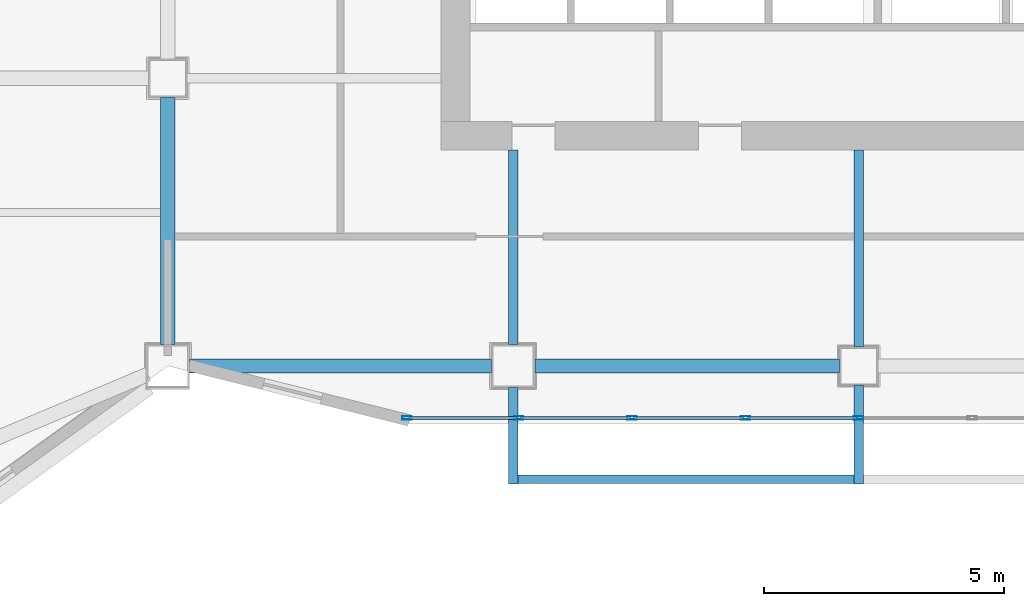
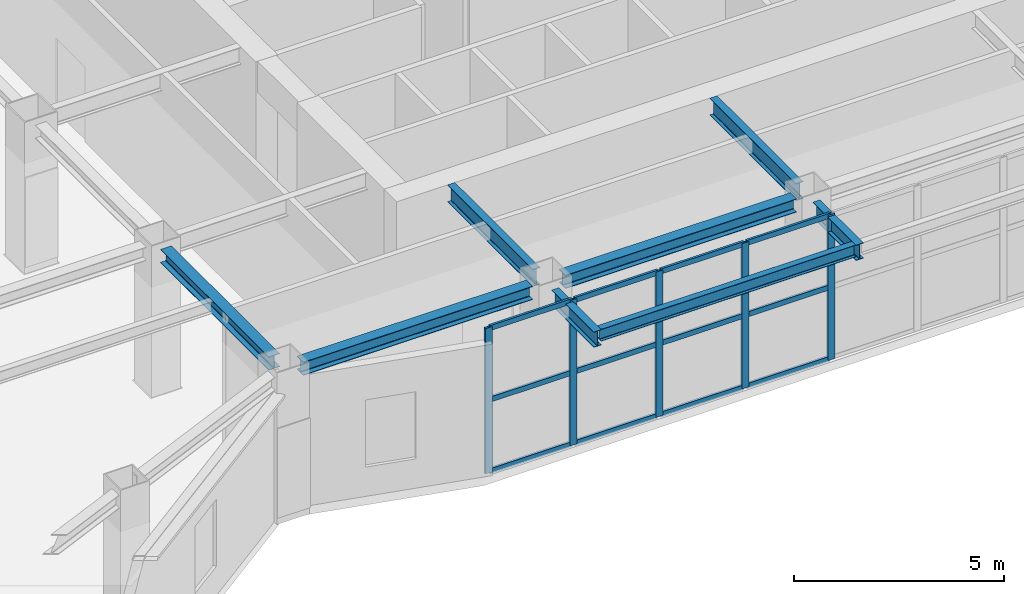
# One storey, part 2 of 16: 17 members, 8 beams, 1 element without a shape of its own.
"""IFC4 building model written with IfcOpenShell, lengths in metres."""

from ifc_helpers import new_model, si_unit, direction, frame, origin, origin_2d, place, context, subcontext, project, spatial, hollow_rectangle, i_section, extrude, material, layer, layer_set, material_profile, profile_set, type_object, element, aggregate, save


model = new_model("IFC4")

# Units and contexts
model_context = context("Model", 3, precision=1e-05, world=origin(), true_north=direction((0.0, 1.0)))
body_context = subcontext(model_context, "Body", "Model", "MODEL_VIEW")
ifc_project = project(units=[si_unit("LENGTHUNIT", "METRE"), si_unit("AREAUNIT", "SQUARE_METRE"), si_unit("VOLUMEUNIT", "CUBIC_METRE"), si_unit("PLANEANGLEUNIT", "RADIAN"), si_unit("MASSUNIT", "GRAM", prefix="KILO")], contexts=[model_context])

# Site, building, storey
site_placement = place(None, origin())
site = spatial("IfcSite", under=ifc_project, at=site_placement, CompositionType="ELEMENT")
building_placement = place(site_placement, origin())
building = spatial("IfcBuilding", under=site, at=building_placement, Name="Haolan Belvedere Tower", CompositionType="ELEMENT")
storey_placement = place(building_placement, frame((0.0, 0.0, 164.60009765625)))
storey = spatial("IfcBuildingStorey", under=building, at=storey_placement, Name="L41", CompositionType="ELEMENT", Elevation=164.60009765625)

# Beams
ifc_material_1 = material(Name="Steel Q355B", Category="steel")
ifc_material_profile_1 = material_profile(ifc_material_1, i_section(OverallWidth=0.300048828125, OverallDepth=0.389892578125, WebThickness=0.010009765625, FlangeThickness=0.01611328125, FilletRadius=0.02197265625, at=origin_2d()), Name="Steel Q355B")
ifc_profile_set_1 = profile_set([ifc_material_profile_1], Name="Steel Q355B")
beam_type_1 = type_object("IfcBeamType", Name="BM-HM390x300x10x16", PredefinedType="SPANDREL", material=ifc_profile_set_1)
beam_1_placement = place(storey_placement, frame((24.0, 22.050048828125, 4.02490234375), z_axis=(0.0, 1.0, 0.0), x_axis=(-1.0, 0.0, 0.0)))
element("IfcBeam", 1, at=beam_1_placement, inside=storey, type_object=beam_type_1, Name="L41 spandrel girder MC-T3-SW-TC-T3-W1", PredefinedType="SPANDREL", context=body_context, shape_type="SweptSolid", body=[
    extrude(i_section(OverallWidth=0.300048828125, OverallDepth=0.389892578125, WebThickness=0.010009765625, FlangeThickness=0.01611328125, FilletRadius=0.02197265625, at=origin_2d()), origin(), (0.0, 0.0, 1.0), 5.14990234375),
])
beam_2_placement = place(storey_placement, frame((24.449951171875, 21.60009765625, 4.02490234375), z_axis=(1.0, 0.0, 0.0), x_axis=(0.0, 1.0, 0.0)))
element("IfcBeam", 2, at=beam_2_placement, inside=storey, type_object=beam_type_1, Name="L41 spandrel girder MC-T3-SW-MC-T3-S1", PredefinedType="SPANDREL", context=body_context, shape_type="SweptSolid", body=[
    extrude(i_section(OverallWidth=0.300048828125, OverallDepth=0.389892578125, WebThickness=0.010009765625, FlangeThickness=0.01611328125, FilletRadius=0.02197265625, at=origin_2d()), origin(), (0.0, 0.0, 1.0), 6.300048828125),
])
beam_3_placement = place(storey_placement, frame((31.64990234375, 21.60009765625, 4.02490234375), z_axis=(1.0, 0.0, 0.0), x_axis=(0.0, 1.0, 0.0)))
element("IfcBeam", 3, at=beam_3_placement, inside=storey, type_object=beam_type_1, Name="L41 spandrel girder MC-T3-S1-TC-T3-SM", PredefinedType="SPANDREL", context=body_context, shape_type="SweptSolid", body=[
    extrude(i_section(OverallWidth=0.300048828125, OverallDepth=0.389892578125, WebThickness=0.010009765625, FlangeThickness=0.01611328125, FilletRadius=0.02197265625, at=origin_2d()), origin(), (0.0, 0.0, 1.0), 6.35009765625),
])
ifc_material_profile_2 = material_profile(ifc_material_1, i_section(OverallWidth=0.175048828125, OverallDepth=0.35009765625, WebThickness=0.007080078125, FlangeThickness=0.010986328125, FilletRadius=0.012939453125, at=origin_2d()), Name="Steel Q355B")
ifc_profile_set_2 = profile_set([ifc_material_profile_2], Name="Steel Q355B")
beam_type_2 = type_object("IfcBeamType", Name="BM-HN350x175x7x11", PredefinedType="JOIST", material=ifc_profile_set_2)
beam_4_placement = place(storey_placement, frame((31.300048828125, 19.239990234375, 3.994873046875), z_axis=(1.0, 0.0, 0.0), x_axis=(0.0, 1.0, 0.0)))
element("IfcBeam", 4, at=beam_4_placement, inside=storey, type_object=beam_type_2, Name="L42 tree-balcony front trimmer beam 1", PredefinedType="BEAM", context=body_context, shape_type="SweptSolid", body=[
    extrude(i_section(OverallWidth=0.175048828125, OverallDepth=0.35009765625, WebThickness=0.007080078125, FlangeThickness=0.010986328125, FilletRadius=0.012939453125, at=origin_2d()), origin(), (0.0, 0.0, 1.0), 7.0),
])
ifc_material_profile_3 = material_profile(ifc_material_1, i_section(OverallWidth=0.199951171875, OverallDepth=0.449951171875, WebThickness=0.009033203125, FlangeThickness=0.013916015625, FilletRadius=0.01611328125, at=origin_2d()), Name="Steel Q355B")
ifc_profile_set_3 = profile_set([ifc_material_profile_3], Name="Steel Q355B")
beam_type_3 = type_object("IfcBeamType", Name="BM-HN450x200x9x14", PredefinedType="BEAM", material=ifc_profile_set_3)
beam_5_placement = place(storey_placement, frame((31.199951171875, 21.14990234375, 3.94482421875), z_axis=(0.0, -1.0, 0.0), x_axis=(1.0, 0.0, 0.0)))
element("IfcBeam", 5, at=beam_5_placement, inside=storey, type_object=beam_type_3, Name="L42 tree-balcony column cantilever MC-T3-S1", PredefinedType="BEAM", context=body_context, shape_type="SweptSolid", body=[
    extrude(i_section(OverallWidth=0.199951171875, OverallDepth=0.449951171875, WebThickness=0.009033203125, FlangeThickness=0.013916015625, FilletRadius=0.01611328125, at=origin_2d()), origin(), (0.0, 0.0, 1.0), 2.010009765625),
])
beam_6_placement = place(storey_placement, frame((38.39990234375, 21.199951171875, 3.94482421875), z_axis=(0.0, -1.0, 0.0), x_axis=(1.0, 0.0, 0.0)))
element("IfcBeam", 6, at=beam_6_placement, inside=storey, type_object=beam_type_3, Name="L42 tree-balcony column cantilever TC-T3-SM", PredefinedType="BEAM", context=body_context, shape_type="SweptSolid", body=[
    extrude(i_section(OverallWidth=0.199951171875, OverallDepth=0.449951171875, WebThickness=0.009033203125, FlangeThickness=0.013916015625, FilletRadius=0.01611328125, at=origin_2d()), origin(), (0.0, 0.0, 1.0), 2.06005859375),
])
ifc_material_profile_4 = material_profile(ifc_material_1, i_section(OverallWidth=0.199951171875, OverallDepth=0.5, WebThickness=0.010009765625, FlangeThickness=0.01611328125, FilletRadius=0.02001953125, at=origin_2d()), Name="Steel Q355B")
ifc_profile_set_4 = profile_set([ifc_material_profile_4], Name="Steel Q355B")
beam_type_4 = type_object("IfcBeamType", Name="BM-HN500x200x10x16", PredefinedType="BEAM", material=ifc_profile_set_4)
beam_7_placement = place(storey_placement, frame((31.199951171875, 22.050048828125, 3.969970703125), z_axis=(0.0, 1.0, 0.0), x_axis=(-1.0, 0.0, 0.0)))
element("IfcBeam", 7, at=beam_7_placement, inside=storey, type_object=beam_type_4, Name="L41 core tie beam from MC-T3-S1", PredefinedType="BEAM", context=body_context, shape_type="SweptSolid", body=[
    extrude(i_section(OverallWidth=0.199951171875, OverallDepth=0.5, WebThickness=0.010009765625, FlangeThickness=0.01611328125, FilletRadius=0.02001953125, at=origin_2d()), origin(), (0.0, 0.0, 1.0), 4.050048828125),
])
beam_8_placement = place(storey_placement, frame((38.39990234375, 22.0, 3.969970703125), z_axis=(0.0, 1.0, 0.0), x_axis=(-1.0, 0.0, 0.0)))
element("IfcBeam", 8, at=beam_8_placement, inside=storey, type_object=beam_type_4, Name="L41 core tie beam from TC-T3-SM", PredefinedType="BEAM", context=body_context, shape_type="SweptSolid", body=[
    extrude(i_section(OverallWidth=0.199951171875, OverallDepth=0.5, WebThickness=0.010009765625, FlangeThickness=0.01611328125, FilletRadius=0.02001953125, at=origin_2d()), origin(), (0.0, 0.0, 1.0), 4.10009765625),
])

# Curtain wall, members
ifc_material_2 = material(Name="Anodised champagne-silver aluminium 6063-T6 and Low-E glass", Category="aluminium")
ifc_layer = layer(ifc_material_2, 0.195068359375, Name="Anodised champagne-silver aluminium 6063-T6 and Low-E glass")
ifc_layer_set = layer_set([ifc_layer], Name="Anodised champagne-silver aluminium 6063-T6 and Low-E glass")
curtain_wall_type = type_object("IfcCurtainWallType", Name="CW-SYS-06", PredefinedType="NOTDEFINED", material=ifc_layer_set)
curtain_wall_placement = place(storey_placement, origin())
curtain_wall = element("IfcCurtainWall", 9, at=curtain_wall_placement, inside=storey, type_object=curtain_wall_type, Name="L41 CW-SYS-06 ribbon curtain wall 1.1", PredefinedType="NOTDEFINED")
ifc_material_3 = material(Name="Anodised aluminium 6063-T6", Category="aluminium")
ifc_material_profile_5 = material_profile(ifc_material_3, hollow_rectangle(XDim=0.070068359375, YDim=0.195068359375, WallThickness=0.00390625, at=origin_2d()), Name="Anodised aluminium 6063-T6")
ifc_profile_set_5 = profile_set([ifc_material_profile_5], Name="Anodised aluminium 6063-T6")
member_type_1 = type_object("IfcMemberType", Name="CW-SYS-06-MUL", PredefinedType="MULLION", material=ifc_profile_set_5)
member_1_placement = place(storey_placement, frame((28.98974609375, 20.52001953125, 0.0), z_axis=(0.0, 0.0, 1.0), x_axis=(0.0, 1.0, 0.0)))
member_1 = element("IfcMember", 10, at=member_1_placement, type_object=member_type_1, Name="CW-06 mullion 1", PredefinedType="MULLION", context=body_context, shape_type="SweptSolid", body=[
    extrude(hollow_rectangle(XDim=0.070068359375, YDim=0.195068359375, WallThickness=0.00390625, at=origin_2d()), origin(), (0.0, 0.0, 1.0), 4.219970703125),
])
member_2_placement = place(storey_placement, frame((31.316162109375, 20.52001953125, 0.0), z_axis=(0.0, 0.0, 1.0), x_axis=(0.0, 1.0, 0.0)))
member_2 = element("IfcMember", 11, at=member_2_placement, type_object=member_type_1, Name="CW-06 mullion 2", PredefinedType="MULLION", context=body_context, shape_type="SweptSolid", body=[
    extrude(hollow_rectangle(XDim=0.070068359375, YDim=0.195068359375, WallThickness=0.00390625, at=origin_2d()), origin(), (0.0, 0.0, 1.0), 4.219970703125),
])
member_3_placement = place(storey_placement, frame((33.677490234375, 20.52001953125, 0.0), z_axis=(0.0, 0.0, 1.0), x_axis=(0.0, 1.0, 0.0)))
member_3 = element("IfcMember", 12, at=member_3_placement, type_object=member_type_1, Name="CW-06 mullion 3", PredefinedType="MULLION", context=body_context, shape_type="SweptSolid", body=[
    extrude(hollow_rectangle(XDim=0.070068359375, YDim=0.195068359375, WallThickness=0.00390625, at=origin_2d()), origin(), (0.0, 0.0, 1.0), 4.219970703125),
])
member_4_placement = place(storey_placement, frame((36.038818359375, 20.52001953125, 0.0), z_axis=(0.0, 0.0, 1.0), x_axis=(0.0, 1.0, 0.0)))
member_4 = element("IfcMember", 13, at=member_4_placement, type_object=member_type_1, Name="CW-06 mullion 4", PredefinedType="MULLION", context=body_context, shape_type="SweptSolid", body=[
    extrude(hollow_rectangle(XDim=0.070068359375, YDim=0.195068359375, WallThickness=0.00390625, at=origin_2d()), origin(), (0.0, 0.0, 1.0), 4.219970703125),
])
member_5_placement = place(storey_placement, frame((38.39990234375, 20.52001953125, 0.0), z_axis=(0.0, 0.0, 1.0), x_axis=(0.0, 1.0, 0.0)))
member_5 = element("IfcMember", 14, at=member_5_placement, type_object=member_type_1, Name="CW-06 mullion 5", PredefinedType="MULLION", context=body_context, shape_type="SweptSolid", body=[
    extrude(hollow_rectangle(XDim=0.070068359375, YDim=0.195068359375, WallThickness=0.00390625, at=origin_2d()), origin(), (0.0, 0.0, 1.0), 4.219970703125),
])
ifc_material_profile_6 = material_profile(ifc_material_3, hollow_rectangle(XDim=0.06494140625, YDim=0.14990234375, WallThickness=0.00390625, at=origin_2d()), Name="Anodised aluminium 6063-T6")
ifc_profile_set_6 = profile_set([ifc_material_profile_6], Name="Anodised aluminium 6063-T6")
member_type_2 = type_object("IfcMemberType", Name="CW-SYS-06-TRN", PredefinedType="USERDEFINED", material=ifc_profile_set_6)
member_6_placement = place(storey_placement, frame((29.02490234375, 20.52001953125, 0.032470703125), z_axis=(1.0, 0.0, 0.0), x_axis=(0.0, 1.0, 0.0)))
member_6 = element("IfcMember", 15, at=member_6_placement, type_object=member_type_2, Name="CW-06 transom 1.1", ObjectType="TRANSOM", PredefinedType="USERDEFINED", context=body_context, shape_type="SweptSolid", body=[
    extrude(hollow_rectangle(XDim=0.06494140625, YDim=0.14990234375, WallThickness=0.00390625, at=origin_2d()), origin(), (0.0, 0.0, 1.0), 2.256103515625),
])
member_7_placement = place(storey_placement, frame((29.02490234375, 20.52001953125, 2.10986328125), z_axis=(1.0, 0.0, 0.0), x_axis=(0.0, 1.0, 0.0)))
member_7 = element("IfcMember", 16, at=member_7_placement, type_object=member_type_2, Name="CW-06 transom 1.2", ObjectType="TRANSOM", PredefinedType="USERDEFINED", context=body_context, shape_type="SweptSolid", body=[
    extrude(hollow_rectangle(XDim=0.06494140625, YDim=0.14990234375, WallThickness=0.00390625, at=origin_2d()), origin(), (0.0, 0.0, 1.0), 2.256103515625),
])
member_8_placement = place(storey_placement, frame((29.02490234375, 20.52001953125, 4.1875), z_axis=(1.0, 0.0, 0.0), x_axis=(0.0, 1.0, 0.0)))
member_8 = element("IfcMember", 17, at=member_8_placement, type_object=member_type_2, Name="CW-06 transom 1.3", ObjectType="TRANSOM", PredefinedType="USERDEFINED", context=body_context, shape_type="SweptSolid", body=[
    extrude(hollow_rectangle(XDim=0.06494140625, YDim=0.14990234375, WallThickness=0.00390625, at=origin_2d()), origin(), (0.0, 0.0, 1.0), 2.256103515625),
])
member_9_placement = place(storey_placement, frame((31.35107421875, 20.52001953125, 0.032470703125), z_axis=(1.0, 0.0, 0.0), x_axis=(0.0, 1.0, 0.0)))
member_9 = element("IfcMember", 18, at=member_9_placement, type_object=member_type_2, Name="CW-06 transom 2.1", ObjectType="TRANSOM", PredefinedType="USERDEFINED", context=body_context, shape_type="SweptSolid", body=[
    extrude(hollow_rectangle(XDim=0.06494140625, YDim=0.14990234375, WallThickness=0.00390625, at=origin_2d()), origin(), (0.0, 0.0, 1.0), 2.291259765625),
])
member_10_placement = place(storey_placement, frame((31.35107421875, 20.52001953125, 2.10986328125), z_axis=(1.0, 0.0, 0.0), x_axis=(0.0, 1.0, 0.0)))
member_10 = element("IfcMember", 19, at=member_10_placement, type_object=member_type_2, Name="CW-06 transom 2.2", ObjectType="TRANSOM", PredefinedType="USERDEFINED", context=body_context, shape_type="SweptSolid", body=[
    extrude(hollow_rectangle(XDim=0.06494140625, YDim=0.14990234375, WallThickness=0.00390625, at=origin_2d()), origin(), (0.0, 0.0, 1.0), 2.291259765625),
])
member_11_placement = place(storey_placement, frame((31.35107421875, 20.52001953125, 4.1875), z_axis=(1.0, 0.0, 0.0), x_axis=(0.0, 1.0, 0.0)))
member_11 = element("IfcMember", 20, at=member_11_placement, type_object=member_type_2, Name="CW-06 transom 2.3", ObjectType="TRANSOM", PredefinedType="USERDEFINED", context=body_context, shape_type="SweptSolid", body=[
    extrude(hollow_rectangle(XDim=0.06494140625, YDim=0.14990234375, WallThickness=0.00390625, at=origin_2d()), origin(), (0.0, 0.0, 1.0), 2.291259765625),
])
member_12_placement = place(storey_placement, frame((33.71240234375, 20.52001953125, 0.032470703125), z_axis=(1.0, 0.0, 0.0), x_axis=(0.0, 1.0, 0.0)))
member_12 = element("IfcMember", 21, at=member_12_placement, type_object=member_type_2, Name="CW-06 transom 3.1", ObjectType="TRANSOM", PredefinedType="USERDEFINED", context=body_context, shape_type="SweptSolid", body=[
    extrude(hollow_rectangle(XDim=0.06494140625, YDim=0.14990234375, WallThickness=0.00390625, at=origin_2d()), origin(), (0.0, 0.0, 1.0), 2.291259765625),
])
member_13_placement = place(storey_placement, frame((33.71240234375, 20.52001953125, 2.10986328125), z_axis=(1.0, 0.0, 0.0), x_axis=(0.0, 1.0, 0.0)))
member_13 = element("IfcMember", 22, at=member_13_placement, type_object=member_type_2, Name="CW-06 transom 3.2", ObjectType="TRANSOM", PredefinedType="USERDEFINED", context=body_context, shape_type="SweptSolid", body=[
    extrude(hollow_rectangle(XDim=0.06494140625, YDim=0.14990234375, WallThickness=0.00390625, at=origin_2d()), origin(), (0.0, 0.0, 1.0), 2.291259765625),
])
member_14_placement = place(storey_placement, frame((33.71240234375, 20.52001953125, 4.1875), z_axis=(1.0, 0.0, 0.0), x_axis=(0.0, 1.0, 0.0)))
member_14 = element("IfcMember", 23, at=member_14_placement, type_object=member_type_2, Name="CW-06 transom 3.3", ObjectType="TRANSOM", PredefinedType="USERDEFINED", context=body_context, shape_type="SweptSolid", body=[
    extrude(hollow_rectangle(XDim=0.06494140625, YDim=0.14990234375, WallThickness=0.00390625, at=origin_2d()), origin(), (0.0, 0.0, 1.0), 2.291259765625),
])
member_15_placement = place(storey_placement, frame((36.07373046875, 20.52001953125, 0.032470703125), z_axis=(1.0, 0.0, 0.0), x_axis=(0.0, 1.0, 0.0)))
member_15 = element("IfcMember", 24, at=member_15_placement, type_object=member_type_2, Name="CW-06 transom 4.1", ObjectType="TRANSOM", PredefinedType="USERDEFINED", context=body_context, shape_type="SweptSolid", body=[
    extrude(hollow_rectangle(XDim=0.06494140625, YDim=0.14990234375, WallThickness=0.00390625, at=origin_2d()), origin(), (0.0, 0.0, 1.0), 2.291259765625),
])
member_16_placement = place(storey_placement, frame((36.07373046875, 20.52001953125, 2.10986328125), z_axis=(1.0, 0.0, 0.0), x_axis=(0.0, 1.0, 0.0)))
member_16 = element("IfcMember", 25, at=member_16_placement, type_object=member_type_2, Name="CW-06 transom 4.2", ObjectType="TRANSOM", PredefinedType="USERDEFINED", context=body_context, shape_type="SweptSolid", body=[
    extrude(hollow_rectangle(XDim=0.06494140625, YDim=0.14990234375, WallThickness=0.00390625, at=origin_2d()), origin(), (0.0, 0.0, 1.0), 2.291259765625),
])
member_17_placement = place(storey_placement, frame((36.07373046875, 20.52001953125, 4.1875), z_axis=(1.0, 0.0, 0.0), x_axis=(0.0, 1.0, 0.0)))
member_17 = element("IfcMember", 26, at=member_17_placement, type_object=member_type_2, Name="CW-06 transom 4.3", ObjectType="TRANSOM", PredefinedType="USERDEFINED", context=body_context, shape_type="SweptSolid", body=[
    extrude(hollow_rectangle(XDim=0.06494140625, YDim=0.14990234375, WallThickness=0.00390625, at=origin_2d()), origin(), (0.0, 0.0, 1.0), 2.291259765625),
])
aggregate(curtain_wall, [member_1, member_2, member_3, member_4, member_5, member_6, member_7, member_8, member_9, member_10, member_11, member_12, member_13, member_14, member_15, member_16, member_17])

save(model, "model.ifc")
